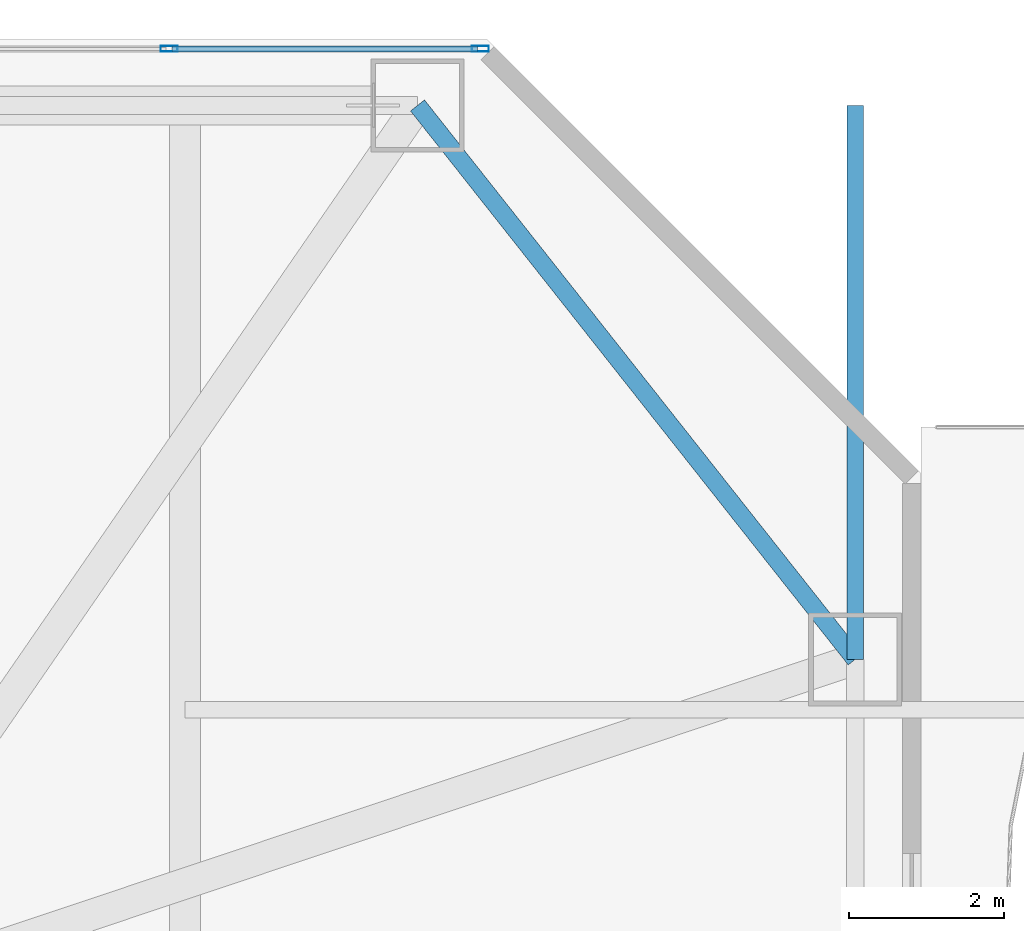
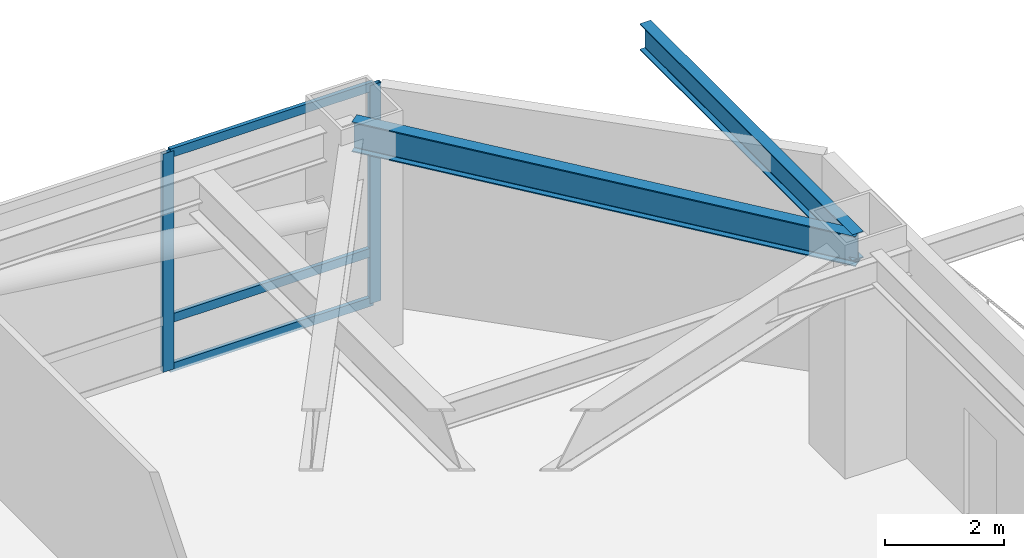
# One storey, part 15 of 33: 5 members, 2 beams, 1 element without a shape of its own.
"""IFC4 building model written with IfcOpenShell, lengths in metres."""

from ifc_helpers import new_model, si_unit, direction, frame, origin, origin_2d, place, context, subcontext, project, spatial, hollow_rectangle, i_section, extrude, material, material_profile, profile_set, type_object, element, aggregate, save


model = new_model("IFC4")

# Units and contexts
model_context = context("Model", 3, precision=1e-05, world=origin(), true_north=direction((0.0, 1.0)))
body_context = subcontext(model_context, "Body", "Model", "MODEL_VIEW")
ifc_project = project(units=[si_unit("LENGTHUNIT", "METRE"), si_unit("AREAUNIT", "SQUARE_METRE"), si_unit("VOLUMEUNIT", "CUBIC_METRE"), si_unit("PLANEANGLEUNIT", "RADIAN"), si_unit("MASSUNIT", "GRAM", prefix="KILO")], contexts=[model_context])

# Site, building, storey
site_placement = place(None, origin())
site = spatial("IfcSite", under=ifc_project, at=site_placement, CompositionType="ELEMENT")
building_placement = place(site_placement, origin())
building = spatial("IfcBuilding", under=site, at=building_placement, Name="Khamvora Tower", CompositionType="ELEMENT")
storey_placement = place(building_placement, frame((0.0, 0.0, 7.199951171875)))
storey = spatial("IfcBuildingStorey", under=building, at=storey_placement, Name="L01", CompositionType="ELEMENT", Elevation=7.199951171875)

# Beams
ifc_material_1 = material(Name="Steel S355", Category="steel")
ifc_material_profile_1 = material_profile(ifc_material_1, i_section(OverallWidth=0.2119140625, OverallDepth=0.5439453125, WebThickness=0.012939453125, FlangeThickness=0.02099609375, FilletRadius=0.013916015625, at=origin_2d()), Name="W530x123")
ifc_profile_set_1 = profile_set([ifc_material_profile_1], Name="Steel S355")
beam_type_1 = type_object("IfcBeamType", Name="BM-SP-W530x123", PredefinedType="SPANDREL", material=ifc_profile_set_1)
beam_1_placement = place(storey_placement, frame((55.14990234375, 48.0, 4.2080078125), z_axis=(0.0, 1.0, 0.0), x_axis=(-1.0, 0.0, 0.0)))
element("IfcBeam", 1, at=beam_1_placement, inside=storey, type_object=beam_type_1, Name="L01 E perimeter edge spandrel 5", PredefinedType="SPANDREL", context=body_context, shape_type="SweptSolid", body=[
    extrude(i_section(OverallWidth=0.2119140625, OverallDepth=0.5439453125, WebThickness=0.012939453125, FlangeThickness=0.02099609375, FilletRadius=0.013916015625, at=origin_2d()), origin(), (0.0, 0.0, 1.0), 7.14990234375),
])
ifc_material_profile_2 = material_profile(ifc_material_1, i_section(OverallWidth=0.22998046875, OverallDepth=0.616943359375, WebThickness=0.012939453125, FlangeThickness=0.02197265625, FilletRadius=0.013916015625, at=origin_2d()), Name="W610x140")
ifc_profile_set_2 = profile_set([ifc_material_profile_2], Name="Steel S355")
beam_type_2 = type_object("IfcBeamType", Name="BM-SP-W610x140", PredefinedType="SPANDREL", material=ifc_profile_set_2)
beam_2_placement = place(storey_placement, frame((55.14990234375, 48.0, 4.171142578125), z_axis=(-0.619998635429, 0.784602888133, 0.0), x_axis=(-0.784602888133, -0.619998635429, 0.0)))
element("IfcBeam", 2, at=beam_2_placement, inside=storey, type_object=beam_type_2, Name="L01 perimeter spandrel beam P16-P08", PredefinedType="SPANDREL", context=body_context, shape_type="SweptSolid", body=[
    extrude(i_section(OverallWidth=0.22998046875, OverallDepth=0.616943359375, WebThickness=0.012939453125, FlangeThickness=0.02197265625, FilletRadius=0.013916015625, at=origin_2d()), origin(), (0.0, 0.0, 1.0), 9.11279296875),
])

# Curtain wall, members
ifc_material_2 = material(Name="Anodised Aluminium 6063-T6", Category="aluminium")
curtain_wall_type = type_object("IfcCurtainWallType", Name="CW-SYS-01", PredefinedType="NOTDEFINED", material=ifc_material_2)
curtain_wall_placement = place(storey_placement, origin())
curtain_wall = element("IfcCurtainWall", 3, at=curtain_wall_placement, inside=storey, type_object=curtain_wall_type, Name="L01 stick curtain wall 07.1", PredefinedType="NOTDEFINED")
ifc_material_profile_3 = material_profile(ifc_material_2, hollow_rectangle(XDim=0.074951171875, YDim=0.219970703125, WallThickness=0.0048828125, at=origin_2d()), Name="MUL75x220x5")
ifc_profile_set_3 = profile_set([ifc_material_profile_3], Name="Anodised Aluminium 6063-T6")
member_type_1 = type_object("IfcMemberType", Name="CW-SYS-01-MUL", PredefinedType="MULLION", material=ifc_profile_set_3)
member_1_placement = place(storey_placement, frame((46.29345703125, 55.8798828125, 0.0), z_axis=(0.0, 0.0, 1.0), x_axis=(0.0, 1.0, 0.0)))
member_1 = element("IfcMember", 4, at=member_1_placement, type_object=member_type_1, Name="CW-01 mullion 11", PredefinedType="MULLION", context=body_context, shape_type="SweptSolid", body=[
    extrude(hollow_rectangle(XDim=0.074951171875, YDim=0.219970703125, WallThickness=0.0048828125, at=origin_2d()), origin(), (0.0, 0.0, 1.0), 4.47998046875),
])
member_2_placement = place(storey_placement, frame((50.3125, 55.8798828125, 0.0), z_axis=(0.0, 0.0, 1.0), x_axis=(0.0, 1.0, 0.0)))
member_2 = element("IfcMember", 5, at=member_2_placement, type_object=member_type_1, Name="CW-01 mullion 12", PredefinedType="MULLION", context=body_context, shape_type="SweptSolid", body=[
    extrude(hollow_rectangle(XDim=0.074951171875, YDim=0.219970703125, WallThickness=0.0048828125, at=origin_2d()), origin(), (0.0, 0.0, 1.0), 4.47998046875),
])
ifc_material_profile_4 = material_profile(ifc_material_2, hollow_rectangle(XDim=0.074951171875, YDim=0.179931640625, WallThickness=0.0048828125, at=origin_2d()), Name="TRN75x180x5")
ifc_profile_set_4 = profile_set([ifc_material_profile_4], Name="Anodised Aluminium 6063-T6")
member_type_2 = type_object("IfcMemberType", Name="CW-SYS-01-TRN", PredefinedType="USERDEFINED", material=ifc_profile_set_4)
member_3_placement = place(storey_placement, frame((46.330810546875, 55.8798828125, 0.03759765625), z_axis=(1.0, 0.0, 0.0), x_axis=(0.0, 1.0, 0.0)))
member_3 = element("IfcMember", 6, at=member_3_placement, type_object=member_type_2, Name="CW-01 transom 11.1", ObjectType="TRANSOM", PredefinedType="USERDEFINED", context=body_context, shape_type="SweptSolid", body=[
    extrude(hollow_rectangle(XDim=0.074951171875, YDim=0.179931640625, WallThickness=0.0048828125, at=origin_2d()), origin(), (0.0, 0.0, 1.0), 3.944091796875),
])
member_4_placement = place(storey_placement, frame((46.330810546875, 55.8798828125, 1.050048828125), z_axis=(1.0, 0.0, 0.0), x_axis=(0.0, 1.0, 0.0)))
member_4 = element("IfcMember", 7, at=member_4_placement, type_object=member_type_2, Name="CW-01 transom 11.2", ObjectType="TRANSOM", PredefinedType="USERDEFINED", context=body_context, shape_type="SweptSolid", body=[
    extrude(hollow_rectangle(XDim=0.074951171875, YDim=0.179931640625, WallThickness=0.0048828125, at=origin_2d()), origin(), (0.0, 0.0, 1.0), 3.944091796875),
])
member_5_placement = place(storey_placement, frame((46.330810546875, 55.8798828125, 4.442626953125), z_axis=(1.0, 0.0, 0.0), x_axis=(0.0, 1.0, 0.0)))
member_5 = element("IfcMember", 8, at=member_5_placement, type_object=member_type_2, Name="CW-01 transom 11.3", ObjectType="TRANSOM", PredefinedType="USERDEFINED", context=body_context, shape_type="SweptSolid", body=[
    extrude(hollow_rectangle(XDim=0.074951171875, YDim=0.179931640625, WallThickness=0.0048828125, at=origin_2d()), origin(), (0.0, 0.0, 1.0), 3.944091796875),
])
aggregate(curtain_wall, [member_1, member_2, member_3, member_4, member_5])

save(model, "model.ifc")
